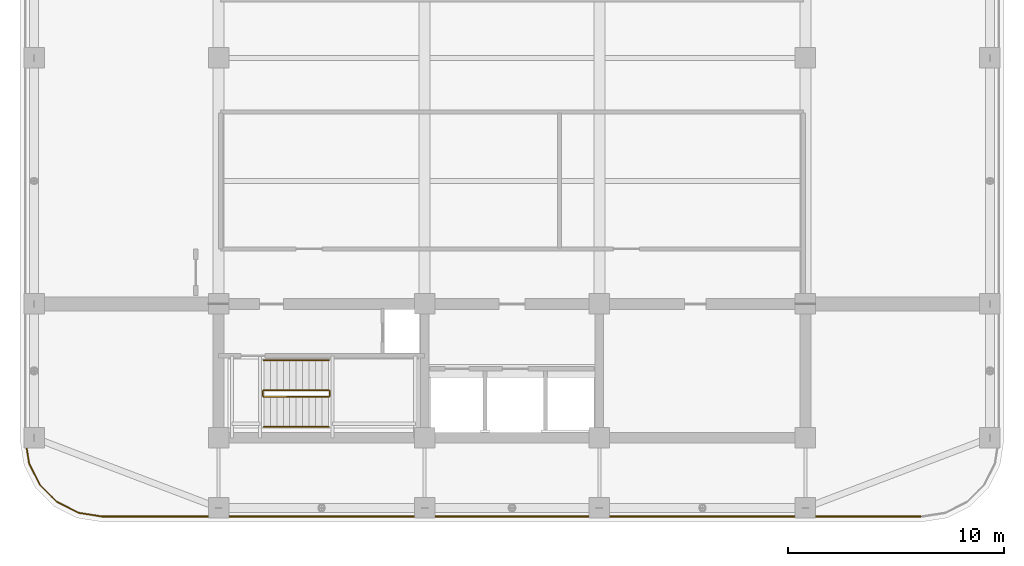
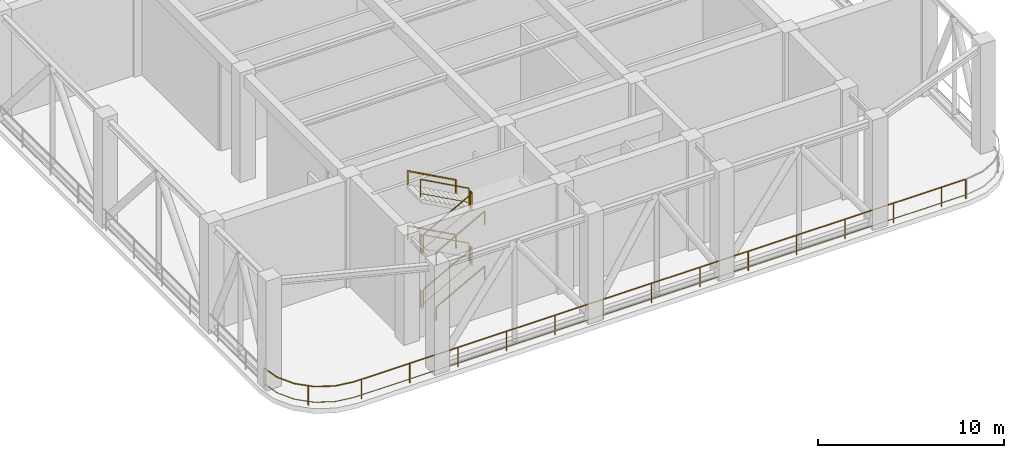
# One storey, part 18 of 20: 13 railings.
"""IFC4 building model written with IfcOpenShell, lengths in metres."""

from ifc_helpers import new_model, si_unit, direction, frame, origin, origin_2d, place, context, subcontext, project, spatial, rectangle, extrude, material, type_object, element, save


model = new_model("IFC4")

# Units and contexts
model_context = context("Model", 3, precision=1e-05, world=origin(), true_north=direction((0.0, 1.0)))
body_context = subcontext(model_context, "Body", "Model", "MODEL_VIEW")
ifc_project = project(units=[si_unit("LENGTHUNIT", "METRE"), si_unit("AREAUNIT", "SQUARE_METRE"), si_unit("VOLUMEUNIT", "CUBIC_METRE"), si_unit("PLANEANGLEUNIT", "RADIAN"), si_unit("MASSUNIT", "GRAM", prefix="KILO")], contexts=[model_context])

# Site, building, storey
site_placement = place(None, origin())
site = spatial("IfcSite", under=ifc_project, at=site_placement, CompositionType="ELEMENT")
building_placement = place(site_placement, origin())
building = spatial("IfcBuilding", under=site, at=building_placement, Name="Svetorya Sky Lyceum", CompositionType="ELEMENT")
storey_placement = place(building_placement, frame((0.0, 0.0, 195.89990234375)))
storey = spatial("IfcBuildingStorey", under=building, at=storey_placement, Name="L49", CompositionType="ELEMENT", Elevation=195.89990234375)

# Railings
ifc_material_1 = material(Name="Hot-dip galvanized wind-portal guard")
railing_type_1 = type_object("IfcRailingType", Name="RL-PRT-1300", PredefinedType="GUARDRAIL", material=ifc_material_1)
railing_1_placement = place(storey_placement, frame((16.64990234375, 10.5, 0.0)))
element("IfcRailing", 1, at=railing_1_placement, inside=storey, type_object=railing_type_1, Name="L49 Wind-Portal Deck Guard Quadrant 1", PredefinedType="GUARDRAIL", context=body_context, shape_type="SweptSolid", body=[
    extrude(rectangle(XDim=0.048095703125, YDim=0.048095703125, at=origin_2d()), frame((0.0, 0.0, 1.27587890625), z_axis=(0.156515677229, -0.987675474425, 0.0), x_axis=(0.987675474425, 0.156515677229, 0.0)), (0.0, 0.0, 1.0), 1.110595703125),
    extrude(rectangle(XDim=0.02392578125, YDim=0.02392578125, at=origin_2d()), frame((0.0, 0.0, 0.25), z_axis=(0.156515677229, -0.987675474425, 0.0), x_axis=(0.987675474425, 0.156515677229, 0.0)), (0.0, 0.0, 1.0), 1.110595703125),
    extrude(rectangle(XDim=0.048095703125, YDim=0.048095703125, at=origin_2d()), frame((0.173828125, -1.096923828125, 1.27587890625), z_axis=(0.453882976809, -0.891061301686, 0.0), x_axis=(0.891061301686, 0.453882976809, 0.0)), (0.0, 0.0, 1.0), 1.11083984375),
    extrude(rectangle(XDim=0.02392578125, YDim=0.02392578125, at=origin_2d()), frame((0.173828125, -1.096923828125, 0.25), z_axis=(0.453882976809, -0.891061301686, 0.0), x_axis=(0.891061301686, 0.453882976809, 0.0)), (0.0, 0.0, 1.0), 1.11083984375),
    extrude(rectangle(XDim=0.048095703125, YDim=0.048095703125, at=origin_2d()), frame((0.677978515625, -2.086669921875, 1.27587890625), z_axis=(0.707106781187, -0.707106781187, 0.0), x_axis=(0.707106781187, 0.707106781187, 0.0)), (0.0, 0.0, 1.0), 1.11083984375),
    extrude(rectangle(XDim=0.02392578125, YDim=0.02392578125, at=origin_2d()), frame((0.677978515625, -2.086669921875, 0.25), z_axis=(0.707106781187, -0.707106781187, 0.0), x_axis=(0.707106781187, 0.707106781187, 0.0)), (0.0, 0.0, 1.0), 1.11083984375),
    extrude(rectangle(XDim=0.048095703125, YDim=0.048095703125, at=origin_2d()), frame((1.46337890625, -2.8720703125, 1.27587890625), z_axis=(0.891061301686, -0.453882976809, 0.0), x_axis=(0.453882976809, 0.891061301686, 0.0)), (0.0, 0.0, 1.0), 1.11083984375),
    extrude(rectangle(XDim=0.02392578125, YDim=0.02392578125, at=origin_2d()), frame((1.46337890625, -2.8720703125, 0.25), z_axis=(0.891061301686, -0.453882976809, 0.0), x_axis=(0.453882976809, 0.891061301686, 0.0)), (0.0, 0.0, 1.0), 1.11083984375),
    extrude(rectangle(XDim=0.048095703125, YDim=0.048095703125, at=origin_2d()), frame((2.453125, -3.376220703125, 1.27587890625), z_axis=(0.987675474425, -0.156515677229, 0.0), x_axis=(0.156515677229, 0.987675474425, 0.0)), (0.0, 0.0, 1.0), 1.110595703125),
    extrude(rectangle(XDim=0.02392578125, YDim=0.02392578125, at=origin_2d()), frame((2.453125, -3.376220703125, 0.25), z_axis=(0.987675474425, -0.156515677229, 0.0), x_axis=(0.156515677229, 0.987675474425, 0.0)), (0.0, 0.0, 1.0), 1.110595703125),
    extrude(rectangle(XDim=0.048095703125, YDim=0.048095703125, at=origin_2d()), frame((3.550048828125, -3.550048828125, 1.27587890625), z_axis=(1.0, 0.0, 0.0), x_axis=(0.0, 1.0, 0.0)), (0.0, 0.0, 1.0), 37.93994140625),
    extrude(rectangle(XDim=0.02392578125, YDim=0.02392578125, at=origin_2d()), frame((3.550048828125, -3.550048828125, 0.25), z_axis=(1.0, 0.0, 0.0), x_axis=(0.0, 1.0, 0.0)), (0.0, 0.0, 1.0), 37.93994140625),
    extrude(rectangle(XDim=0.0419921875, YDim=0.0419921875, at=origin_2d()), origin(), (0.0, 0.0, 1.0), 1.251953125),
    extrude(rectangle(XDim=0.0419921875, YDim=0.0419921875, at=origin_2d()), frame((1.228515625, -2.63720703125, 0.0)), (0.0, 0.0, 1.0), 1.251953125),
    extrude(rectangle(XDim=0.0419921875, YDim=0.0419921875, at=origin_2d()), frame((3.99658203125, -3.550048828125, 0.0)), (0.0, 0.0, 1.0), 1.251953125),
    extrude(rectangle(XDim=0.0419921875, YDim=0.0419921875, at=origin_2d()), frame((6.99658203125, -3.550048828125, 0.0)), (0.0, 0.0, 1.0), 1.251953125),
    extrude(rectangle(XDim=0.0419921875, YDim=0.0419921875, at=origin_2d()), frame((9.99658203125, -3.550048828125, 0.0)), (0.0, 0.0, 1.0), 1.251953125),
    extrude(rectangle(XDim=0.0419921875, YDim=0.0419921875, at=origin_2d()), frame((12.99658203125, -3.550048828125, 0.0)), (0.0, 0.0, 1.0), 1.251953125),
    extrude(rectangle(XDim=0.0419921875, YDim=0.0419921875, at=origin_2d()), frame((15.99658203125, -3.550048828125, 0.0)), (0.0, 0.0, 1.0), 1.251953125),
    extrude(rectangle(XDim=0.0419921875, YDim=0.0419921875, at=origin_2d()), frame((18.99658203125, -3.550048828125, 0.0)), (0.0, 0.0, 1.0), 1.251953125),
    extrude(rectangle(XDim=0.0419921875, YDim=0.0419921875, at=origin_2d()), frame((21.99658203125, -3.550048828125, 0.0)), (0.0, 0.0, 1.0), 1.251953125),
    extrude(rectangle(XDim=0.0419921875, YDim=0.0419921875, at=origin_2d()), frame((24.99658203125, -3.550048828125, 0.0)), (0.0, 0.0, 1.0), 1.251953125),
    extrude(rectangle(XDim=0.0419921875, YDim=0.0419921875, at=origin_2d()), frame((27.99658203125, -3.550048828125, 0.0)), (0.0, 0.0, 1.0), 1.251953125),
    extrude(rectangle(XDim=0.0419921875, YDim=0.0419921875, at=origin_2d()), frame((30.99658203125, -3.550048828125, 0.0)), (0.0, 0.0, 1.0), 1.251953125),
    extrude(rectangle(XDim=0.0419921875, YDim=0.0419921875, at=origin_2d()), frame((33.99658203125, -3.550048828125, 0.0)), (0.0, 0.0, 1.0), 1.251953125),
    extrude(rectangle(XDim=0.0419921875, YDim=0.0419921875, at=origin_2d()), frame((36.99658203125, -3.550048828125, 0.0)), (0.0, 0.0, 1.0), 1.251953125),
    extrude(rectangle(XDim=0.0419921875, YDim=0.0419921875, at=origin_2d()), frame((39.99658203125, -3.550048828125, 0.0)), (0.0, 0.0, 1.0), 1.251953125),
    extrude(rectangle(XDim=0.0419921875, YDim=0.0419921875, at=origin_2d()), frame((41.489990234375, -3.550048828125, 0.0)), (0.0, 0.0, 1.0), 1.251953125),
])
ifc_material_2 = material(Name="Painted galvanized stair well guard")
railing_type_2 = type_object("IfcRailingType", Name="RL-STR-GUARD-1200", PredefinedType="GUARDRAIL", material=ifc_material_2)
railing_2_placement = place(storey_placement, frame((27.699951171875, 12.5, 0.163818359375)))
element("IfcRailing", 2, at=railing_2_placement, inside=storey, type_object=railing_type_2, Name="L49 ST-S stair guard 1", PredefinedType="GUARDRAIL", context=body_context, shape_type="SweptSolid", body=[
    extrude(rectangle(XDim=0.048095703125, YDim=0.048095703125, at=origin_2d()), frame((0.0, 0.0, 1.17578125), z_axis=(0.877911954615, 0.0, 0.47882209634), x_axis=(0.0, 1.0, 0.0)), (0.0, 0.0, 1.0), 3.417236328125),
    extrude(rectangle(XDim=0.02392578125, YDim=0.02392578125, at=origin_2d()), frame((0.0, 0.0, 0.25), z_axis=(0.877911954615, 0.0, 0.47882209634), x_axis=(0.0, 1.0, 0.0)), (0.0, 0.0, 1.0), 3.417236328125),
    extrude(rectangle(XDim=0.0419921875, YDim=0.0419921875, at=origin_2d()), origin(), (0.0, 0.0, 1.0), 1.15185546875),
    extrude(rectangle(XDim=0.0419921875, YDim=0.0419921875, at=origin_2d()), frame((3.0, 0.0, 1.63623046875)), (0.0, 0.0, 1.0), 1.15185546875),
])
railing_3_placement = place(storey_placement, frame((30.75, 12.550048828125, 1.800048828125)))
element("IfcRailing", 3, at=railing_3_placement, inside=storey, type_object=railing_type_2, Name="L49 ST-S stair guard 2", PredefinedType="GUARDRAIL", context=body_context, shape_type="SweptSolid", body=[
    extrude(rectangle(XDim=0.048095703125, YDim=0.048095703125, at=origin_2d()), frame((0.0, 0.0, 1.17578125), z_axis=(0.0, 1.0, 0.0), x_axis=(-1.0, 0.0, 0.0)), (0.0, 0.0, 1.0), 0.199951171875),
    extrude(rectangle(XDim=0.02392578125, YDim=0.02392578125, at=origin_2d()), frame((0.0, 0.0, 0.25), z_axis=(0.0, 1.0, 0.0), x_axis=(-1.0, 0.0, 0.0)), (0.0, 0.0, 1.0), 0.199951171875),
    extrude(rectangle(XDim=0.0419921875, YDim=0.0419921875, at=origin_2d()), origin(), (0.0, 0.0, 1.0), 1.15185546875),
    extrude(rectangle(XDim=0.0419921875, YDim=0.0419921875, at=origin_2d()), frame((0.0, 0.199951171875, 0.0)), (0.0, 0.0, 1.0), 1.15185546875),
])
railing_4_placement = place(storey_placement, frame((30.699951171875, 12.800048828125, 1.963623046875)))
element("IfcRailing", 4, at=railing_4_placement, inside=storey, type_object=railing_type_2, Name="L49 ST-S stair guard 3", PredefinedType="GUARDRAIL", context=body_context, shape_type="SweptSolid", body=[
    extrude(rectangle(XDim=0.048095703125, YDim=0.048095703125, at=origin_2d()), frame((0.0, 0.0, 1.17578125), z_axis=(-0.877881921179, 0.0, 0.478877158013), x_axis=(0.0, -1.0, 0.0)), (0.0, 0.0, 1.0), 3.417236328125),
    extrude(rectangle(XDim=0.02392578125, YDim=0.02392578125, at=origin_2d()), frame((0.0, 0.0, 0.25), z_axis=(-0.877881921179, 0.0, 0.478877158013), x_axis=(0.0, -1.0, 0.0)), (0.0, 0.0, 1.0), 3.417236328125),
    extrude(rectangle(XDim=0.0419921875, YDim=0.0419921875, at=origin_2d()), origin(), (0.0, 0.0, 1.0), 1.15185546875),
    extrude(rectangle(XDim=0.0419921875, YDim=0.0419921875, at=origin_2d()), frame((-3.0, 0.0, 1.636474609375)), (0.0, 0.0, 1.0), 1.15185546875),
])
railing_5_placement = place(storey_placement, frame((27.64990234375, 12.550048828125, 3.60009765625)))
element("IfcRailing", 5, at=railing_5_placement, inside=storey, type_object=railing_type_2, Name="L49 ST-S stair guard 4", PredefinedType="GUARDRAIL", context=body_context, shape_type="SweptSolid", body=[
    extrude(rectangle(XDim=0.048095703125, YDim=0.048095703125, at=origin_2d()), frame((0.0, 0.0, 1.17578125), z_axis=(0.0, 1.0, 0.0), x_axis=(-1.0, 0.0, 0.0)), (0.0, 0.0, 1.0), 0.199951171875),
    extrude(rectangle(XDim=0.02392578125, YDim=0.02392578125, at=origin_2d()), frame((0.0, 0.0, 0.25), z_axis=(0.0, 1.0, 0.0), x_axis=(-1.0, 0.0, 0.0)), (0.0, 0.0, 1.0), 0.199951171875),
    extrude(rectangle(XDim=0.0419921875, YDim=0.0419921875, at=origin_2d()), origin(), (0.0, 0.0, 1.0), 1.15185546875),
    extrude(rectangle(XDim=0.0419921875, YDim=0.0419921875, at=origin_2d()), frame((0.0, 0.199951171875, 0.0)), (0.0, 0.0, 1.0), 1.15185546875),
])
railing_6_placement = place(storey_placement, frame((27.699951171875, 12.5, 3.763671875)))
element("IfcRailing", 6, at=railing_6_placement, inside=storey, type_object=railing_type_2, Name="L49 ST-S stair guard 5", PredefinedType="GUARDRAIL", context=body_context, shape_type="SweptSolid", body=[
    extrude(rectangle(XDim=0.048095703125, YDim=0.048095703125, at=origin_2d()), frame((0.0, 0.0, 1.17578125), z_axis=(0.877881921179, 0.0, 0.478877158013), x_axis=(0.0, 1.0, 0.0)), (0.0, 0.0, 1.0), 3.417236328125),
    extrude(rectangle(XDim=0.02392578125, YDim=0.02392578125, at=origin_2d()), frame((0.0, 0.0, 0.25), z_axis=(0.877881921179, 0.0, 0.478877158013), x_axis=(0.0, 1.0, 0.0)), (0.0, 0.0, 1.0), 3.417236328125),
    extrude(rectangle(XDim=0.0419921875, YDim=0.0419921875, at=origin_2d()), origin(), (0.0, 0.0, 1.0), 1.15185546875),
    extrude(rectangle(XDim=0.0419921875, YDim=0.0419921875, at=origin_2d()), frame((3.0, 0.0, 1.636474609375)), (0.0, 0.0, 1.0), 1.15185546875),
])
railing_7_placement = place(storey_placement, frame((30.75, 12.550048828125, 5.400146484375)))
element("IfcRailing", 7, at=railing_7_placement, inside=storey, type_object=railing_type_2, Name="L49 ST-S stair guard 6", PredefinedType="GUARDRAIL", context=body_context, shape_type="SweptSolid", body=[
    extrude(rectangle(XDim=0.048095703125, YDim=0.048095703125, at=origin_2d()), frame((0.0, 0.0, 1.17578125), z_axis=(0.0, 1.0, 0.0), x_axis=(-1.0, 0.0, 0.0)), (0.0, 0.0, 1.0), 0.199951171875),
    extrude(rectangle(XDim=0.02392578125, YDim=0.02392578125, at=origin_2d()), frame((0.0, 0.0, 0.25), z_axis=(0.0, 1.0, 0.0), x_axis=(-1.0, 0.0, 0.0)), (0.0, 0.0, 1.0), 0.199951171875),
    extrude(rectangle(XDim=0.0419921875, YDim=0.0419921875, at=origin_2d()), origin(), (0.0, 0.0, 1.0), 1.15185546875),
    extrude(rectangle(XDim=0.0419921875, YDim=0.0419921875, at=origin_2d()), frame((0.0, 0.199951171875, 0.0)), (0.0, 0.0, 1.0), 1.15185546875),
])
railing_8_placement = place(storey_placement, frame((30.699951171875, 12.800048828125, 5.563720703125)))
element("IfcRailing", 8, at=railing_8_placement, inside=storey, type_object=railing_type_2, Name="L49 ST-S stair guard 7", PredefinedType="GUARDRAIL", context=body_context, shape_type="SweptSolid", body=[
    extrude(rectangle(XDim=0.048095703125, YDim=0.048095703125, at=origin_2d()), frame((0.0, 0.0, 1.17578125), z_axis=(-0.877881921179, 0.0, 0.478877158013), x_axis=(0.0, -1.0, 0.0)), (0.0, 0.0, 1.0), 3.417236328125),
    extrude(rectangle(XDim=0.02392578125, YDim=0.02392578125, at=origin_2d()), frame((0.0, 0.0, 0.25), z_axis=(-0.877881921179, 0.0, 0.478877158013), x_axis=(0.0, -1.0, 0.0)), (0.0, 0.0, 1.0), 3.417236328125),
    extrude(rectangle(XDim=0.0419921875, YDim=0.0419921875, at=origin_2d()), origin(), (0.0, 0.0, 1.0), 1.15185546875),
    extrude(rectangle(XDim=0.0419921875, YDim=0.0419921875, at=origin_2d()), frame((-3.0, 0.0, 1.636474609375)), (0.0, 0.0, 1.0), 1.15185546875),
])
railing_9_placement = place(storey_placement, frame((27.64990234375, 12.550048828125, 0.0)))
element("IfcRailing", 9, at=railing_9_placement, inside=storey, type_object=railing_type_2, Name="L49 ST-S stair guard 8", PredefinedType="GUARDRAIL", context=body_context, shape_type="SweptSolid", body=[
    extrude(rectangle(XDim=0.048095703125, YDim=0.048095703125, at=origin_2d()), frame((0.0, 0.0, 1.17578125), z_axis=(0.0, 1.0, 0.0), x_axis=(-1.0, 0.0, 0.0)), (0.0, 0.0, 1.0), 0.199951171875),
    extrude(rectangle(XDim=0.02392578125, YDim=0.02392578125, at=origin_2d()), frame((0.0, 0.0, 0.25), z_axis=(0.0, 1.0, 0.0), x_axis=(-1.0, 0.0, 0.0)), (0.0, 0.0, 1.0), 0.199951171875),
    extrude(rectangle(XDim=0.0419921875, YDim=0.0419921875, at=origin_2d()), origin(), (0.0, 0.0, 1.0), 1.15185546875),
    extrude(rectangle(XDim=0.0419921875, YDim=0.0419921875, at=origin_2d()), frame((0.0, 0.199951171875, 0.0)), (0.0, 0.0, 1.0), 1.15185546875),
])
ifc_material_3 = material(Name="Brushed stainless AISI 304 stair handrail")
railing_type_3 = type_object("IfcRailingType", Name="RL-STR-HAND-920", PredefinedType="HANDRAIL", material=ifc_material_3)
railing_10_placement = place(storey_placement, frame((27.699951171875, 11.10009765625, 0.163818359375)))
element("IfcRailing", 10, at=railing_10_placement, inside=storey, type_object=railing_type_3, Name="L49 ST-S stair handrail 1", PredefinedType="HANDRAIL", context=body_context, shape_type="SweptSolid", body=[
    extrude(rectangle(XDim=0.048095703125, YDim=0.048095703125, at=origin_2d()), frame((0.0, 0.0, 0.8759765625), z_axis=(0.877911954615, 0.0, 0.47882209634), x_axis=(0.0, 1.0, 0.0)), (0.0, 0.0, 1.0), 3.417236328125),
    extrude(rectangle(XDim=0.0419921875, YDim=0.0419921875, at=origin_2d()), origin(), (0.0, 0.0, 1.0), 0.851806640625),
    extrude(rectangle(XDim=0.0419921875, YDim=0.0419921875, at=origin_2d()), frame((3.0, 0.0, 1.63623046875)), (0.0, 0.0, 1.0), 0.851806640625),
])
railing_11_placement = place(storey_placement, frame((30.699951171875, 14.199951171875, 1.963623046875)))
element("IfcRailing", 11, at=railing_11_placement, inside=storey, type_object=railing_type_3, Name="L49 ST-S stair handrail 2", PredefinedType="HANDRAIL", context=body_context, shape_type="SweptSolid", body=[
    extrude(rectangle(XDim=0.048095703125, YDim=0.048095703125, at=origin_2d()), frame((0.0, 0.0, 0.8759765625), z_axis=(-0.877881921179, 0.0, 0.478877158013), x_axis=(0.0, -1.0, 0.0)), (0.0, 0.0, 1.0), 3.417236328125),
    extrude(rectangle(XDim=0.0419921875, YDim=0.0419921875, at=origin_2d()), origin(), (0.0, 0.0, 1.0), 0.851806640625),
    extrude(rectangle(XDim=0.0419921875, YDim=0.0419921875, at=origin_2d()), frame((-3.0, 0.0, 1.636474609375)), (0.0, 0.0, 1.0), 0.851806640625),
])
railing_12_placement = place(storey_placement, frame((27.699951171875, 11.10009765625, 3.763671875)))
element("IfcRailing", 12, at=railing_12_placement, inside=storey, type_object=railing_type_3, Name="L49 ST-S stair handrail 3", PredefinedType="HANDRAIL", context=body_context, shape_type="SweptSolid", body=[
    extrude(rectangle(XDim=0.048095703125, YDim=0.048095703125, at=origin_2d()), frame((0.0, 0.0, 0.8759765625), z_axis=(0.877881921179, 0.0, 0.478877158013), x_axis=(0.0, 1.0, 0.0)), (0.0, 0.0, 1.0), 3.417236328125),
    extrude(rectangle(XDim=0.0419921875, YDim=0.0419921875, at=origin_2d()), origin(), (0.0, 0.0, 1.0), 0.851806640625),
    extrude(rectangle(XDim=0.0419921875, YDim=0.0419921875, at=origin_2d()), frame((3.0, 0.0, 1.636474609375)), (0.0, 0.0, 1.0), 0.851806640625),
])
railing_13_placement = place(storey_placement, frame((30.699951171875, 14.199951171875, 5.563720703125)))
element("IfcRailing", 13, at=railing_13_placement, inside=storey, type_object=railing_type_3, Name="L49 ST-S stair handrail 4", PredefinedType="HANDRAIL", context=body_context, shape_type="SweptSolid", body=[
    extrude(rectangle(XDim=0.048095703125, YDim=0.048095703125, at=origin_2d()), frame((0.0, 0.0, 0.8759765625), z_axis=(-0.877881921179, 0.0, 0.478877158013), x_axis=(0.0, -1.0, 0.0)), (0.0, 0.0, 1.0), 3.417236328125),
    extrude(rectangle(XDim=0.0419921875, YDim=0.0419921875, at=origin_2d()), origin(), (0.0, 0.0, 1.0), 0.851806640625),
    extrude(rectangle(XDim=0.0419921875, YDim=0.0419921875, at=origin_2d()), frame((-3.0, 0.0, 1.636474609375)), (0.0, 0.0, 1.0), 0.851806640625),
])

save(model, "model.ifc")
